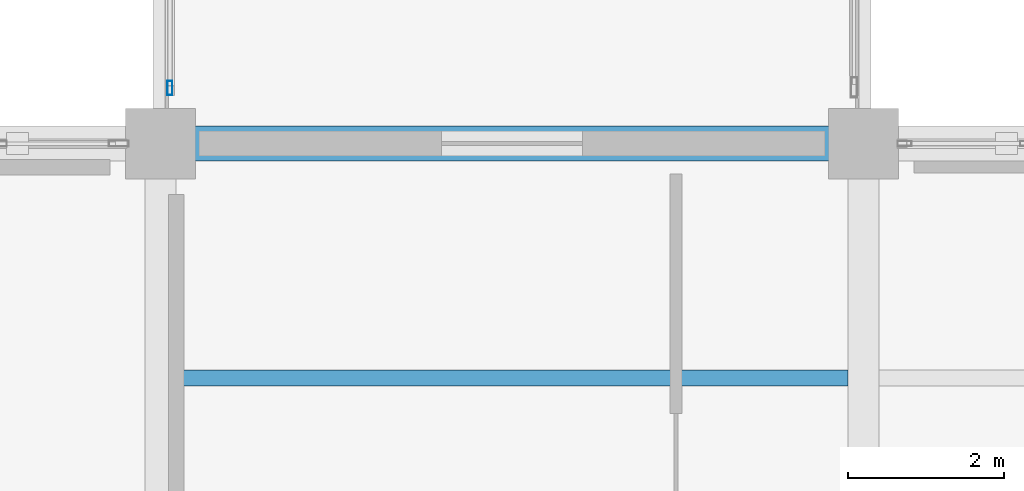
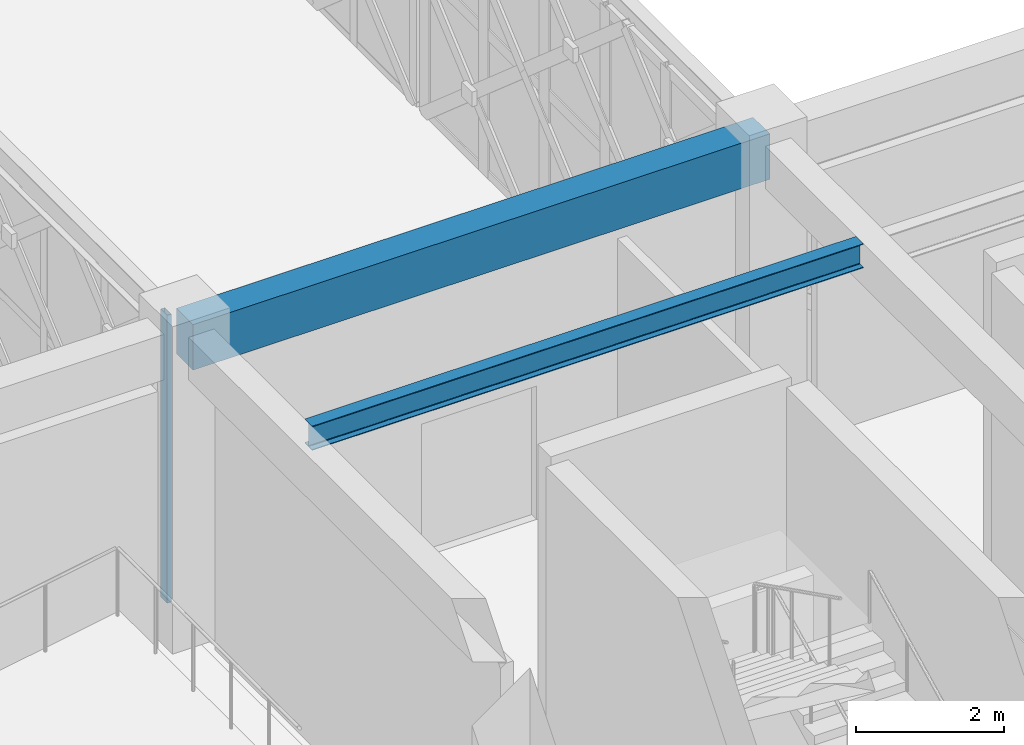
# One storey, part 100 of 166: 2 beams, 1 member, 1 element without a shape of its own.
"""IFC4 building model written with IfcOpenShell, lengths in metres."""

from ifc_helpers import new_model, si_unit, direction, frame, origin, origin_2d, place, context, subcontext, project, spatial, rectangle, hollow_rectangle, i_section, extrude, material, material_profile, profile_set, type_object, element, aggregate, save


model = new_model("IFC4")

# Units and contexts
model_context = context("Model", 3, precision=1e-05, world=origin(), true_north=direction((0.0, 1.0)))
body_context = subcontext(model_context, "Body", "Model", "MODEL_VIEW")
ifc_project = project(units=[si_unit("LENGTHUNIT", "METRE"), si_unit("AREAUNIT", "SQUARE_METRE"), si_unit("VOLUMEUNIT", "CUBIC_METRE"), si_unit("PLANEANGLEUNIT", "RADIAN"), si_unit("MASSUNIT", "GRAM", prefix="KILO")], contexts=[model_context])

# Site, building, storey
site_placement = place(None, origin())
site = spatial("IfcSite", under=ifc_project, at=site_placement, CompositionType="ELEMENT")
building_placement = place(site_placement, origin())
building = spatial("IfcBuilding", under=site, at=building_placement, Name="Haizhuo Lancet Aquarium", CompositionType="ELEMENT")
storey_placement = place(building_placement, frame((0.0, 0.0, 5.39990234375)))
storey = spatial("IfcBuildingStorey", under=building, at=storey_placement, Name="L01", CompositionType="ELEMENT", Elevation=5.39990234375)

# Beam
ifc_material_1 = material(Name="Concrete C40/50", Category="concrete")
ifc_material_profile_1 = material_profile(ifc_material_1, rectangle(XDim=0.449951171875, YDim=0.75, at=origin_2d()), Name="RC-BM 450x750")
ifc_profile_set_1 = profile_set([ifc_material_profile_1], Name="Concrete C40/50")
beam_type_1 = type_object("IfcBeamType", Name="BM-RC-450x750", PredefinedType="BEAM", material=ifc_profile_set_1)
beam_1_placement = place(storey_placement, frame((54.0, -9.0, 4.76513671875), z_axis=(1.0, 0.0, 0.0), x_axis=(0.0, 1.0, 0.0)))
element("IfcBeam", 1, at=beam_1_placement, inside=storey, type_object=beam_type_1, Name="L01 V3 primary girder BM-L01-V3-021", PredefinedType="BEAM", context=body_context, shape_type="SweptSolid", body=[
    extrude(rectangle(XDim=0.449951171875, YDim=0.75, at=origin_2d()), origin(), (0.0, 0.0, 1.0), 9.0),
])

# Curtain wall, member
ifc_material_2 = material(Name="Aluminium 6063-T6", Category="aluminium")
curtain_wall_type = type_object("IfcCurtainWallType", Name="CWO-8200x4750", PredefinedType="NOTDEFINED", material=ifc_material_2)
curtain_wall_placement = place(storey_placement, origin())
curtain_wall = element("IfcCurtainWall", 2, at=curtain_wall_placement, inside=storey, type_object=curtain_wall_type, Name="L01 curtain wall CW-SB-02-W1", PredefinedType="NOTDEFINED")
ifc_material_profile_2 = material_profile(ifc_material_2, hollow_rectangle(XDim=0.06494140625, YDim=0.179931640625, WallThickness=0.00390625, at=origin_2d()), Name="ALU-M 65x180x4")
ifc_profile_set_2 = profile_set([ifc_material_profile_2], Name="Aluminium 6063-T6")
member_type = type_object("IfcMemberType", Name="CW-MUL-1", PredefinedType="MULLION", material=ifc_profile_set_2)
member_placement = place(storey_placement, frame((54.1201171875, -8.287109375, 0.0), z_axis=(0.0, 0.0, 1.0), x_axis=(-1.0, 0.0, 0.0)))
member = element("IfcMember", 3, at=member_placement, type_object=member_type, Name="CWO-82x47 mullion 1", PredefinedType="MULLION", context=body_context, shape_type="SweptSolid", body=[
    extrude(hollow_rectangle(XDim=0.06494140625, YDim=0.179931640625, WallThickness=0.00390625, at=origin_2d()), origin(), (0.0, 0.0, 1.0), 4.75),
])
aggregate(curtain_wall, [member])

# Beam
ifc_material_3 = material(Name="Steel S355", Category="steel")
ifc_material_profile_3 = material_profile(ifc_material_3, i_section(OverallWidth=0.199951171875, OverallDepth=0.39990234375, WebThickness=0.008056640625, FlangeThickness=0.012939453125, FilletRadius=0.01611328125, at=origin_2d()), Name="HN 400x200x8x13")
ifc_profile_set_3 = profile_set([ifc_material_profile_3], Name="Steel S355")
beam_type_2 = type_object("IfcBeamType", Name="JST-ST-HN400", PredefinedType="JOIST", material=ifc_profile_set_3)
beam_2_placement = place(storey_placement, frame((54.199951171875, -12.0, 4.940185546875), z_axis=(1.0, 0.0, 0.0), x_axis=(0.0, 1.0, 0.0)))
element("IfcBeam", 4, at=beam_2_placement, inside=storey, type_object=beam_type_2, Name="L01 V3 secondary floor joist 10", PredefinedType="JOIST", context=body_context, shape_type="SweptSolid", body=[
    extrude(i_section(OverallWidth=0.199951171875, OverallDepth=0.39990234375, WebThickness=0.008056640625, FlangeThickness=0.012939453125, FilletRadius=0.01611328125, at=origin_2d()), origin(), (0.0, 0.0, 1.0), 8.60009765625),
])

save(model, "model.ifc")
